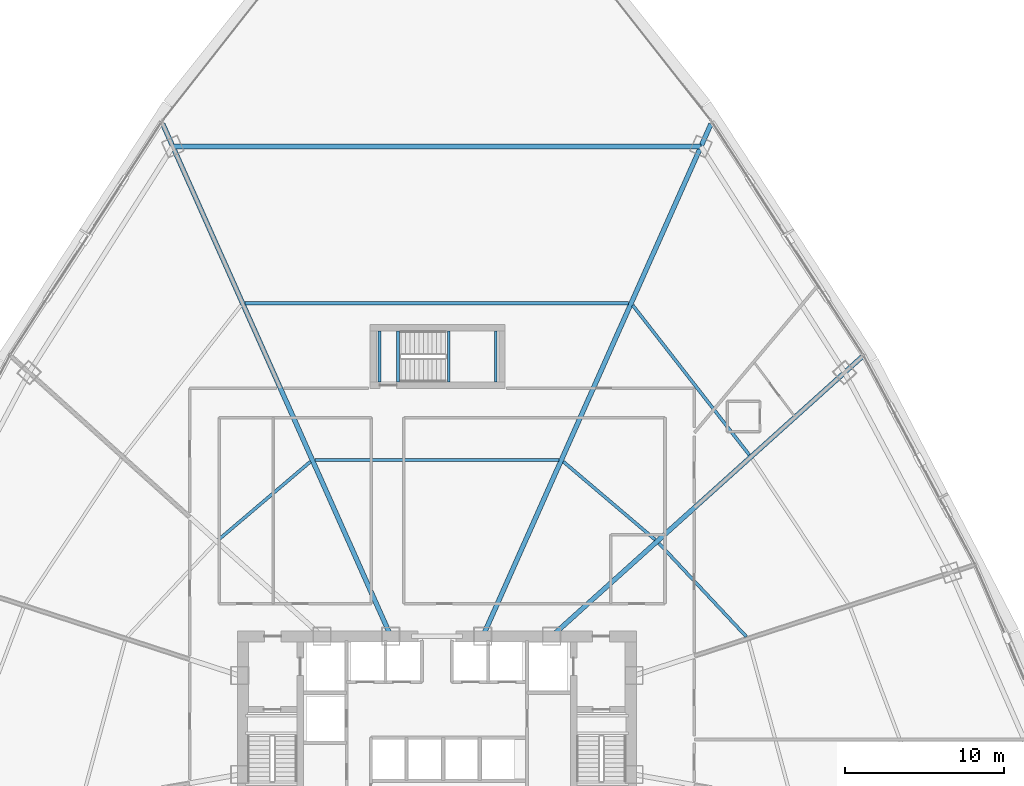
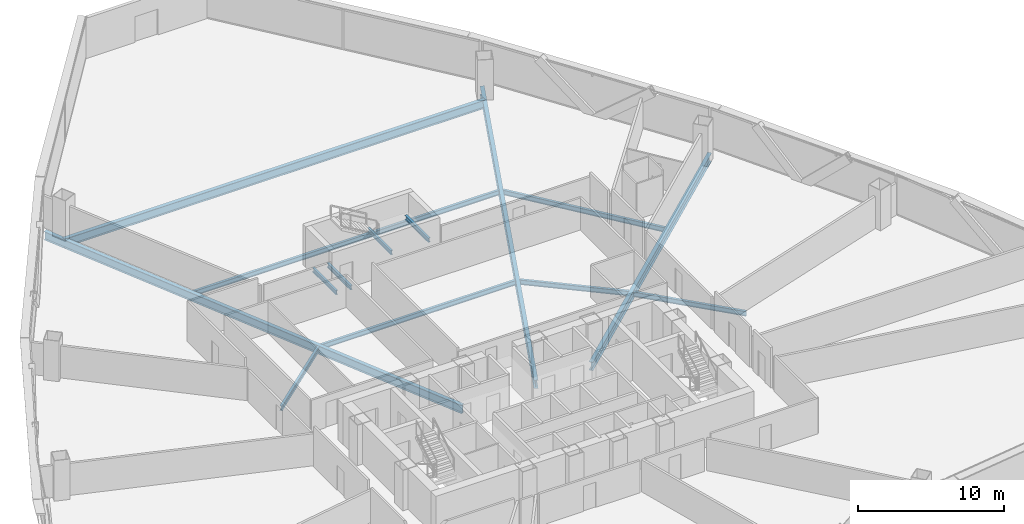
# One storey, part 19 of 42: 14 beams.
"""IFC4 building model written with IfcOpenShell, lengths in metres."""

from ifc_helpers import new_model, si_unit, direction, frame, origin, origin_2d, place, context, subcontext, project, spatial, i_section, extrude, source, transform, mapped, material, material_profile, profile_set, type_object, element, save


model = new_model("IFC4")

# Units and contexts
model_context = context("Model", 3, precision=1e-05, world=origin(), true_north=direction((0.0, 1.0)))
body_context = subcontext(model_context, "Body", "Model", "MODEL_VIEW")
ifc_project = project(units=[si_unit("LENGTHUNIT", "METRE"), si_unit("AREAUNIT", "SQUARE_METRE"), si_unit("VOLUMEUNIT", "CUBIC_METRE"), si_unit("PLANEANGLEUNIT", "RADIAN"), si_unit("MASSUNIT", "GRAM", prefix="KILO"), si_unit("THERMODYNAMICTEMPERATUREUNIT", "KELVIN"), si_unit("POWERUNIT", "WATT")], contexts=[model_context])

# Site, building, storey
site_placement = place(None, origin())
site = spatial("IfcSite", under=ifc_project, at=site_placement, CompositionType="ELEMENT")
building_placement = place(site_placement, origin())
building = spatial("IfcBuilding", under=site, at=building_placement, Name="Yunzhuo Pagoda Commons", CompositionType="ELEMENT")
storey_placement = place(building_placement, frame((0.0, 0.0, 41.2900390625)))
storey = spatial("IfcBuildingStorey", under=building, at=storey_placement, Name="L10", CompositionType="ELEMENT", Elevation=41.2900390625)

# Beams
ifc_material = material(Name="Structural steel Q355B", Category="steel")
ifc_material_profile_1 = material_profile(ifc_material, i_section(OverallWidth=0.175048828125, OverallDepth=0.35009765625, WebThickness=0.007080078125, FlangeThickness=0.010986328125, at=origin_2d()), Name="Structural steel Q355B")
ifc_profile_set_1 = profile_set([ifc_material_profile_1], Name="Structural steel Q355B")
beam_type_1 = type_object("IfcBeamType", Name="B-JS2 Joist HN 350x175x7x11", PredefinedType="JOIST", material=ifc_profile_set_1)
shared_shape_1 = source(origin(), body_context, "Body", "SweptSolid", [
    extrude(i_section(OverallWidth=0.175048828125, OverallDepth=0.35009765625, WebThickness=0.007080078125, FlangeThickness=0.010986328125, at=origin_2d()), origin(), (0.0, 0.0, 1.0), 3.199951171875),
])
for number, where, z_axis, x_axis, name in (
    (1, (48.75, 56.199951171875, 1.440185546875), (0.0, 1.0, 0.0), (-1.0, 0.0, 0.0), "L10 ST3 landing support beam 14A"),
    (2, (51.699951171875, 56.199951171875, 1.440185546875), (0.0, 1.0, 0.0), (-1.0, 0.0, 0.0), "L10 ST3 landing support beam 14B"),
    (3, (44.39990234375, 56.199951171875, -0.375), (0.0, 1.0, 0.0), (-1.0, 0.0, 0.0), "L10 ST3 landing support beam 84A"),
    (4, (45.550048828125, 56.199951171875, -0.375), (0.0, 1.0, 0.0), (-1.0, 0.0, 0.0), "L10 ST3 landing support beam 84B"),
):
    element("IfcBeam", number, at=place(storey_placement, frame(where, z_axis=z_axis, x_axis=x_axis)), inside=storey, type_object=beam_type_1, Name=name, PredefinedType="JOIST", context=body_context, shape_type="MappedRepresentation", body=[
        mapped(shared_shape_1, transform((0.0, 0.0, 0.0), scale=1.0)),
    ])
ifc_material_profile_2 = material_profile(ifc_material, i_section(OverallWidth=0.300048828125, OverallDepth=0.699951171875, WebThickness=0.012939453125, FlangeThickness=0.02392578125, at=origin_2d()), Name="Structural steel Q355B")
ifc_profile_set_2 = profile_set([ifc_material_profile_2], Name="Structural steel Q355B")
beam_type_2 = type_object("IfcBeamType", Name="B-RG1 Beam HN 700x300x13x24", PredefinedType="BEAM", material=ifc_profile_set_2)
shared_shape_2 = source(origin(), body_context, "Body", "SweptSolid", [
    extrude(i_section(OverallWidth=0.300048828125, OverallDepth=0.699951171875, WebThickness=0.012939453125, FlangeThickness=0.02392578125, at=origin_2d()), origin(), (0.0, 0.0, 1.0), 33.2216796875),
])
beam_1_placement = place(storey_placement, frame((64.61083984375, 71.008544921875, -0.610107421875), z_axis=(-1.0, 0.0, 0.0), x_axis=(0.0, -1.0, 0.0)))
element("IfcBeam", 5, at=beam_1_placement, inside=storey, type_object=beam_type_2, Name="L10 column-ring beam 8", PredefinedType="BEAM", context=body_context, shape_type="MappedRepresentation", body=[
    mapped(shared_shape_2, transform((0.0, 0.0, 0.0), scale=1.0)),
])
ifc_material_profile_3 = material_profile(ifc_material, i_section(OverallWidth=0.199951171875, OverallDepth=0.39990234375, WebThickness=0.008056640625, FlangeThickness=0.012939453125, at=origin_2d()), Name="Structural steel Q355B")
ifc_profile_set_3 = profile_set([ifc_material_profile_3], Name="Structural steel Q355B")
beam_type_3 = type_object("IfcBeamType", Name="B-JS1 Joist HN 400x200x8x13", PredefinedType="JOIST", material=ifc_profile_set_3)
shared_shape_3 = source(origin(), body_context, "Body", "SweptSolid", [
    extrude(i_section(OverallWidth=0.199951171875, OverallDepth=0.39990234375, WebThickness=0.008056640625, FlangeThickness=0.012939453125, at=origin_2d()), origin(), (0.0, 0.0, 1.0), 8.055908203125),
])
beam_2_placement = place(storey_placement, frame((67.468017578125, 40.177001953125, -0.4599609375), z_axis=(-0.683432879027, 0.730013355949, 0.0), x_axis=(-0.730013355949, -0.683432879027, 0.0)))
element("IfcBeam", 6, at=beam_2_placement, inside=storey, type_object=beam_type_3, Name="L10 composite ring joist 1.6", PredefinedType="JOIST", context=body_context, shape_type="MappedRepresentation", body=[
    mapped(shared_shape_3, transform((0.0, 0.0, 0.0), scale=1.0)),
])
shared_shape_4 = source(origin(), body_context, "Body", "SweptSolid", [
    extrude(i_section(OverallWidth=0.199951171875, OverallDepth=0.39990234375, WebThickness=0.008056640625, FlangeThickness=0.012939453125, at=origin_2d()), origin(), (0.0, 0.0, 1.0), 7.583984375),
])
for number, where, z_axis, x_axis, name in (
    (7, (61.732421875, 46.277099609375, -0.4599609375), (-0.762037799133, 0.647532541803, 0.0), (-0.647532541803, -0.762037799133, 0.0), "L10 composite ring joist 1.7"),
    (8, (40.046875, 51.18798828125, -0.4599609375), (-0.762037799133, -0.647532541803, 0.0), (0.647532541803, -0.762037799133, 0.0), "L10 composite ring joist 1.9"),
):
    element("IfcBeam", number, at=place(storey_placement, frame(where, z_axis=z_axis, x_axis=x_axis)), inside=storey, type_object=beam_type_3, Name=name, PredefinedType="JOIST", context=body_context, shape_type="MappedRepresentation", body=[
        mapped(shared_shape_4, transform((0.0, 0.0, 0.0), scale=1.0)),
    ])
shared_shape_5 = source(origin(), body_context, "Body", "SweptSolid", [
    extrude(i_section(OverallWidth=0.199951171875, OverallDepth=0.39990234375, WebThickness=0.008056640625, FlangeThickness=0.012939453125, at=origin_2d()), origin(), (0.0, 0.0, 1.0), 11.9345703125),
])
beam_3_placement = place(storey_placement, frame((67.65380859375, 51.609619140625, -0.4599609375), z_axis=(-0.614572048085, 0.788860696012, 0.0), x_axis=(-0.788860696012, -0.614572048085, 0.0)))
element("IfcBeam", 9, at=beam_3_placement, inside=storey, type_object=beam_type_3, Name="L10 composite ring joist 2.7", PredefinedType="JOIST", context=body_context, shape_type="MappedRepresentation", body=[
    mapped(shared_shape_5, transform((0.0, 0.0, 0.0), scale=1.0)),
])
shared_shape_6 = source(origin(), body_context, "Body", "SweptSolid", [
    extrude(i_section(OverallWidth=0.199951171875, OverallDepth=0.39990234375, WebThickness=0.008056640625, FlangeThickness=0.012939453125, at=origin_2d()), origin(), (0.0, 0.0, 1.0), 15.34619140625),
])
beam_4_placement = place(storey_placement, frame((55.673095703125, 51.291015625, -0.4599609375), z_axis=(-1.0, 0.0, 0.0), x_axis=(0.0, -1.0, 0.0)))
element("IfcBeam", 10, at=beam_4_placement, inside=storey, type_object=beam_type_3, Name="L10 composite ring joist 1.8", PredefinedType="JOIST", context=body_context, shape_type="MappedRepresentation", body=[
    mapped(shared_shape_6, transform((0.0, 0.0, 0.0), scale=1.0)),
])
shared_shape_7 = source(origin(), body_context, "Body", "SweptSolid", [
    extrude(i_section(OverallWidth=0.199951171875, OverallDepth=0.39990234375, WebThickness=0.008056640625, FlangeThickness=0.012939453125, at=origin_2d()), origin(), (0.0, 0.0, 1.0), 24.125),
])
beam_5_placement = place(storey_placement, frame((60.0625, 61.14990234375, -0.4599609375), z_axis=(-1.0, 0.0, 0.0), x_axis=(0.0, -1.0, 0.0)))
element("IfcBeam", 11, at=beam_5_placement, inside=storey, type_object=beam_type_3, Name="L10 composite ring joist 2.8", PredefinedType="JOIST", context=body_context, shape_type="MappedRepresentation", body=[
    mapped(shared_shape_7, transform((0.0, 0.0, 0.0), scale=1.0)),
])
shared_shape_8 = source(origin(), body_context, "Body", "SweptSolid", [
    extrude(i_section(OverallWidth=0.300048828125, OverallDepth=0.699951171875, WebThickness=0.012939453125, FlangeThickness=0.02392578125, at=origin_2d()), origin(), (0.0, 0.0, 1.0), 26.257568359375),
])
beam_6_placement = place(storey_placement, frame((74.732177734375, 57.769775390625, -0.610107421875), z_axis=(-0.743143409048, -0.66913217946, 0.0), x_axis=(0.66913217946, -0.743143409048, 0.0)))
element("IfcBeam", 12, at=beam_6_placement, inside=storey, type_object=beam_type_2, Name="L10 radial floor girder F2C3", PredefinedType="BEAM", context=body_context, shape_type="MappedRepresentation", body=[
    mapped(shared_shape_8, transform((0.0, 0.0, 0.0), scale=1.0)),
])
shared_shape_9 = source(origin(), body_context, "Body", "SweptSolid", [
    extrude(i_section(OverallWidth=0.300048828125, OverallDepth=0.699951171875, WebThickness=0.012939453125, FlangeThickness=0.02392578125, at=origin_2d()), origin(), (0.0, 0.0, 1.0), 35.277099609375),
])
for number, where, z_axis, x_axis, name in (
    (13, (65.242431640625, 72.42724609375, -0.610107421875), (-0.406733627292, -0.91354680035, 0.0), (0.91354680035, -0.406733627292, 0.0), "L10 radial floor girder F2C4"),
    (14, (30.757568359375, 72.42724609375, -0.610107421875), (0.406733627292, -0.91354680035, 0.0), (0.91354680035, 0.406733627292, 0.0), "L10 radial floor girder F3C1"),
):
    element("IfcBeam", number, at=place(storey_placement, frame(where, z_axis=z_axis, x_axis=x_axis)), inside=storey, type_object=beam_type_2, Name=name, PredefinedType="BEAM", context=body_context, shape_type="MappedRepresentation", body=[
        mapped(shared_shape_9, transform((0.0, 0.0, 0.0), scale=1.0)),
    ])

save(model, "model.ifc")
